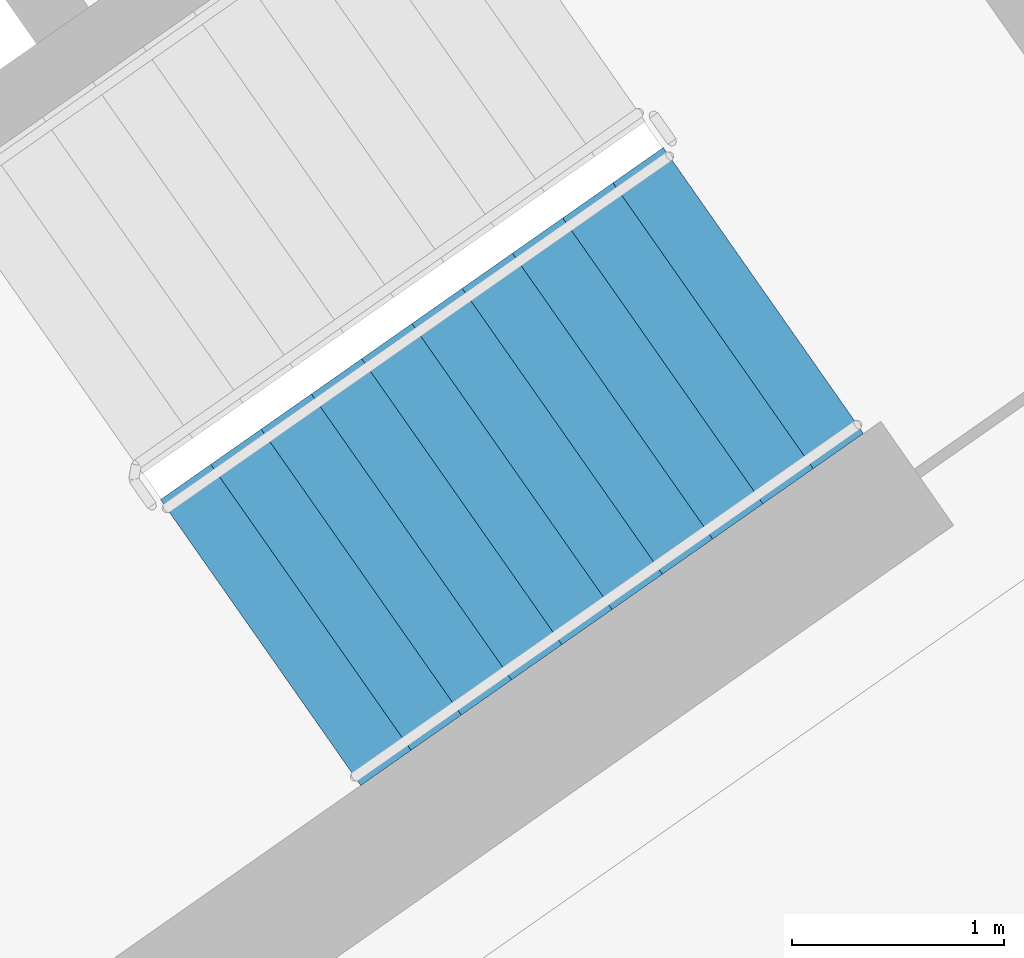
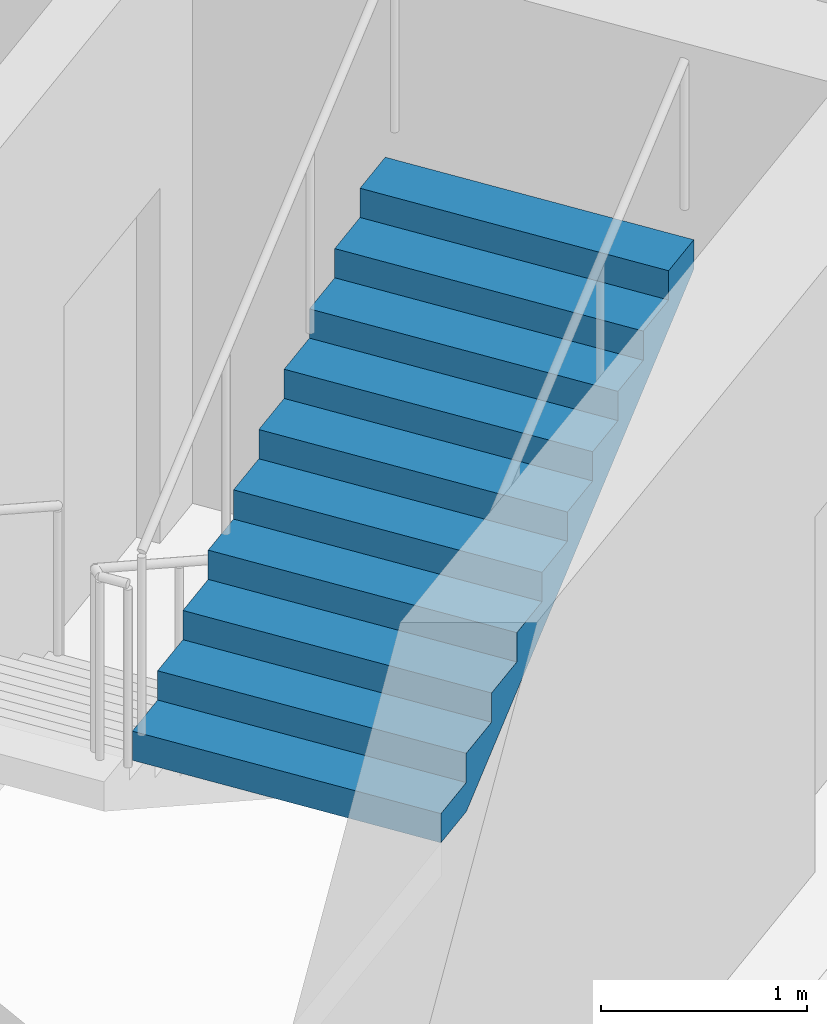
# One storey, part 12 of 29: 1 stair flight, 1 element without a shape of its own.
"""IFC4 building model written with IfcOpenShell, lengths in metres."""

from ifc_helpers import new_model, si_unit, direction, frame, origin, place, context, subcontext, project, spatial, faceted_brep, material, type_object, element, aggregate, save


model = new_model("IFC4")

# Units and contexts
model_context = context("Model", 3, precision=1e-05, world=origin(), true_north=direction((0.0, 1.0)))
body_context = subcontext(model_context, "Body", "Model", "MODEL_VIEW")
ifc_project = project(units=[si_unit("LENGTHUNIT", "METRE"), si_unit("AREAUNIT", "SQUARE_METRE"), si_unit("VOLUMEUNIT", "CUBIC_METRE"), si_unit("PLANEANGLEUNIT", "RADIAN"), si_unit("MASSUNIT", "GRAM", prefix="KILO")], contexts=[model_context])

# Site, building, storey
site_placement = place(None, origin())
site = spatial("IfcSite", under=ifc_project, at=site_placement, CompositionType="ELEMENT")
building_placement = place(site_placement, origin())
building = spatial("IfcBuilding", under=site, at=building_placement, Name="Qamariyya Broadcast Tower", CompositionType="ELEMENT")
storey_placement = place(building_placement, frame((0.0, 0.0, 258.10009765625)))
storey = spatial("IfcBuildingStorey", under=building, at=storey_placement, Name="L62", CompositionType="ELEMENT", Elevation=258.10009765625)

# Stair, stair flight
ifc_material = material(Name="Concrete C50/60", Category="concrete")
stair_type = type_object("IfcStairType", Name="Exit stair 22 risers of 173 mm", PredefinedType="HALF_TURN_STAIR", material=ifc_material)
stair_placement = place(storey_placement, origin())
stair = element("IfcStair", 1, at=stair_placement, inside=storey, type_object=stair_type, Name="L62 Stair E1", PredefinedType="HALF_TURN_STAIR")
stair_flight_type = type_object("IfcStairFlightType", Name="Exit stair flight 11 risers of 173 mm", PredefinedType="STRAIGHT", material=ifc_material)
stair_flight_placement = place(storey_placement, frame((44.693359375, -58.64599609375, 1.89990234375), z_axis=(0.0, 0.0, 1.0), x_axis=(0.819152044289, 0.573576436351, 0.0)))
stair_flight = element("IfcStairFlight", 2, at=stair_flight_placement, type_object=stair_flight_type, Name="ST-E1 flight 2", NumberOfRisers=11, NumberOfTreads=10, PredefinedType="STRAIGHT", RiserHeight=0.172727273, TreadLength=0.29, context=body_context, shape_type="Brep", body=[
    faceted_brep([(0.0, 0.824951171875, 0.0), (0.0, 0.824951171875, 0.172607421875), (0.2900390625, 0.824951171875, 0.172607421875), (0.2900390625, 0.824951171875, 0.345458984375), (0.580078125, 0.824951171875, 0.345458984375), (0.580078125, 0.824951171875, 0.51806640625), (0.8701171875, 0.824951171875, 0.51806640625), (0.8701171875, 0.824951171875, 0.69091796875), (1.159912109375, 0.824951171875, 0.69091796875), (1.159912109375, 0.824951171875, 0.863525390625), (1.449951171875, 0.824951171875, 0.863525390625), (1.449951171875, 0.824951171875, 1.036376953125), (1.739990234375, 0.824951171875, 1.036376953125), (1.739990234375, 0.824951171875, 1.208984375), (2.030029296875, 0.824951171875, 1.208984375), (2.030029296875, 0.824951171875, 1.3818359375), (2.320068359375, 0.824951171875, 1.3818359375), (2.320068359375, 0.824951171875, 1.554443359375), (2.610107421875, 0.824951171875, 1.554443359375), (2.610107421875, 0.824951171875, 1.727294921875), (2.89990234375, 0.824951171875, 1.727294921875), (2.89990234375, 0.824951171875, 1.552734375), (0.29296875, 0.824951171875, 0.0), (0.29296875, -0.824951171875, 0.0), (2.89990234375, -0.824951171875, 1.552734375), (2.89990234375, -0.824951171875, 1.727294921875), (2.610107421875, -0.824951171875, 1.727294921875), (2.610107421875, -0.824951171875, 1.554443359375), (2.320068359375, -0.824951171875, 1.554443359375), (2.320068359375, -0.824951171875, 1.3818359375), (2.030029296875, -0.824951171875, 1.3818359375), (2.030029296875, -0.824951171875, 1.208984375), (1.739990234375, -0.824951171875, 1.208984375), (1.739990234375, -0.824951171875, 1.036376953125), (1.449951171875, -0.824951171875, 1.036376953125), (1.449951171875, -0.824951171875, 0.863525390625), (1.159912109375, -0.824951171875, 0.863525390625), (1.159912109375, -0.824951171875, 0.69091796875), (0.8701171875, -0.824951171875, 0.69091796875), (0.8701171875, -0.824951171875, 0.51806640625), (0.580078125, -0.824951171875, 0.51806640625), (0.580078125, -0.824951171875, 0.345458984375), (0.2900390625, -0.824951171875, 0.345458984375), (0.2900390625, -0.824951171875, 0.172607421875), (0.0, -0.824951171875, 0.172607421875), (0.0, -0.824951171875, 0.0), (0.0, 0.10009765625, 0.0), (0.0, 0.086669921875, 0.0), (0.0, 0.0732421875, 0.0), (0.0, 0.06005859375, 0.0), (0.0, 0.046630859375, 0.0), (0.0, 0.033447265625, 0.0), (0.0, 0.02001953125, 0.0), (0.0, 0.006591796875, 0.0), (0.0, -0.006591796875, 0.0), (0.0, -0.02001953125, 0.0), (0.0, -0.033447265625, 0.0), (0.0, -0.046630859375, 0.0), (0.0, -0.06005859375, 0.0), (0.0, -0.0732421875, 0.0), (0.0, -0.086669921875, 0.0), (0.0, -0.10009765625, 0.0), (0.0, -0.10009765625, 0.172607421875), (0.0, -0.086669921875, 0.172607421875), (0.0, -0.0732421875, 0.172607421875), (0.0, -0.06005859375, 0.172607421875), (0.0, -0.046630859375, 0.172607421875), (0.0, -0.033447265625, 0.172607421875), (0.0, -0.02001953125, 0.172607421875), (0.0, -0.006591796875, 0.172607421875), (0.0, 0.006591796875, 0.172607421875), (0.0, 0.02001953125, 0.172607421875), (0.0, 0.033447265625, 0.172607421875), (0.0, 0.046630859375, 0.172607421875), (0.0, 0.06005859375, 0.172607421875), (0.0, 0.0732421875, 0.172607421875), (0.0, 0.086669921875, 0.172607421875), (0.0, 0.10009765625, 0.172607421875), (0.2900390625, -0.10009765625, 0.172607421875), (0.2900390625, -0.086669921875, 0.172607421875), (0.2900390625, -0.0732421875, 0.172607421875), (0.2900390625, -0.06005859375, 0.172607421875), (0.2900390625, -0.046630859375, 0.172607421875), (0.2900390625, -0.033447265625, 0.172607421875), (0.2900390625, -0.02001953125, 0.172607421875), (0.2900390625, -0.006591796875, 0.172607421875), (0.2900390625, 0.006591796875, 0.172607421875), (0.2900390625, 0.02001953125, 0.172607421875), (0.2900390625, 0.033447265625, 0.172607421875), (0.2900390625, 0.046630859375, 0.172607421875), (0.2900390625, 0.06005859375, 0.172607421875), (0.2900390625, 0.0732421875, 0.172607421875), (0.2900390625, 0.086669921875, 0.172607421875), (0.2900390625, 0.10009765625, 0.172607421875), (0.2900390625, -0.10009765625, 0.345458984375), (0.2900390625, -0.086669921875, 0.345458984375), (0.2900390625, -0.0732421875, 0.345458984375), (0.2900390625, -0.06005859375, 0.345458984375), (0.2900390625, -0.046630859375, 0.345458984375), (0.2900390625, -0.033447265625, 0.345458984375), (0.2900390625, -0.02001953125, 0.345458984375), (0.2900390625, -0.006591796875, 0.345458984375), (0.2900390625, 0.006591796875, 0.345458984375), (0.2900390625, 0.02001953125, 0.345458984375), (0.2900390625, 0.033447265625, 0.345458984375), (0.2900390625, 0.046630859375, 0.345458984375), (0.2900390625, 0.06005859375, 0.345458984375), (0.2900390625, 0.0732421875, 0.345458984375), (0.2900390625, 0.086669921875, 0.345458984375), (0.2900390625, 0.10009765625, 0.345458984375), (0.580078125, -0.10009765625, 0.345458984375), (0.580078125, -0.086669921875, 0.345458984375), (0.580078125, -0.0732421875, 0.345458984375), (0.580078125, -0.06005859375, 0.345458984375), (0.580078125, -0.046630859375, 0.345458984375), (0.580078125, -0.033447265625, 0.345458984375), (0.580078125, -0.02001953125, 0.345458984375), (0.580078125, -0.006591796875, 0.345458984375), (0.580078125, 0.006591796875, 0.345458984375), (0.580078125, 0.02001953125, 0.345458984375), (0.580078125, 0.033447265625, 0.345458984375), (0.580078125, 0.046630859375, 0.345458984375), (0.580078125, 0.06005859375, 0.345458984375), (0.580078125, 0.0732421875, 0.345458984375), (0.580078125, 0.086669921875, 0.345458984375), (0.580078125, 0.10009765625, 0.345458984375), (0.580078125, -0.10009765625, 0.51806640625), (0.580078125, -0.086669921875, 0.51806640625), (0.580078125, -0.0732421875, 0.51806640625), (0.580078125, -0.06005859375, 0.51806640625), (0.580078125, -0.046630859375, 0.51806640625), (0.580078125, -0.033447265625, 0.51806640625), (0.580078125, -0.02001953125, 0.51806640625), (0.580078125, -0.006591796875, 0.51806640625), (0.580078125, 0.006591796875, 0.51806640625), (0.580078125, 0.02001953125, 0.51806640625), (0.580078125, 0.033447265625, 0.51806640625), (0.580078125, 0.046630859375, 0.51806640625), (0.580078125, 0.06005859375, 0.51806640625), (0.580078125, 0.0732421875, 0.51806640625), (0.580078125, 0.086669921875, 0.51806640625), (0.580078125, 0.10009765625, 0.51806640625), (0.8701171875, -0.10009765625, 0.51806640625), (0.8701171875, -0.086669921875, 0.51806640625), (0.8701171875, -0.0732421875, 0.51806640625), (0.8701171875, -0.06005859375, 0.51806640625), (0.8701171875, -0.046630859375, 0.51806640625), (0.8701171875, -0.033447265625, 0.51806640625), (0.8701171875, -0.02001953125, 0.51806640625), (0.8701171875, -0.006591796875, 0.51806640625), (0.8701171875, 0.006591796875, 0.51806640625), (0.8701171875, 0.02001953125, 0.51806640625), (0.8701171875, 0.033447265625, 0.51806640625), (0.8701171875, 0.046630859375, 0.51806640625), (0.8701171875, 0.06005859375, 0.51806640625), (0.8701171875, 0.0732421875, 0.51806640625), (0.8701171875, 0.086669921875, 0.51806640625), (0.8701171875, 0.10009765625, 0.51806640625), (0.8701171875, -0.10009765625, 0.69091796875), (0.8701171875, -0.086669921875, 0.69091796875), (0.8701171875, -0.0732421875, 0.69091796875), (0.8701171875, -0.06005859375, 0.69091796875), (0.8701171875, -0.046630859375, 0.69091796875), (0.8701171875, -0.033447265625, 0.69091796875), (0.8701171875, -0.02001953125, 0.69091796875), (0.8701171875, -0.006591796875, 0.69091796875), (0.8701171875, 0.006591796875, 0.69091796875), (0.8701171875, 0.02001953125, 0.69091796875), (0.8701171875, 0.033447265625, 0.69091796875), (0.8701171875, 0.046630859375, 0.69091796875), (0.8701171875, 0.06005859375, 0.69091796875), (0.8701171875, 0.0732421875, 0.69091796875), (0.8701171875, 0.086669921875, 0.69091796875), (0.8701171875, 0.10009765625, 0.69091796875), (1.159912109375, -0.10009765625, 0.69091796875), (1.159912109375, -0.086669921875, 0.69091796875), (1.159912109375, -0.0732421875, 0.69091796875), (1.159912109375, -0.06005859375, 0.69091796875), (1.159912109375, -0.046630859375, 0.69091796875), (1.159912109375, -0.033447265625, 0.69091796875), (1.159912109375, -0.02001953125, 0.69091796875), (1.159912109375, -0.006591796875, 0.69091796875), (1.159912109375, 0.006591796875, 0.69091796875), (1.159912109375, 0.02001953125, 0.69091796875), (1.159912109375, 0.033447265625, 0.69091796875), (1.159912109375, 0.046630859375, 0.69091796875), (1.159912109375, 0.06005859375, 0.69091796875), (1.159912109375, 0.0732421875, 0.69091796875), (1.159912109375, 0.086669921875, 0.69091796875), (1.159912109375, 0.10009765625, 0.69091796875), (1.159912109375, -0.10009765625, 0.863525390625), (1.159912109375, -0.086669921875, 0.863525390625), (1.159912109375, -0.0732421875, 0.863525390625), (1.159912109375, -0.06005859375, 0.863525390625), (1.159912109375, -0.046630859375, 0.863525390625), (1.159912109375, -0.033447265625, 0.863525390625), (1.159912109375, -0.02001953125, 0.863525390625), (1.159912109375, -0.006591796875, 0.863525390625), (1.159912109375, 0.006591796875, 0.863525390625), (1.159912109375, 0.02001953125, 0.863525390625), (1.159912109375, 0.033447265625, 0.863525390625), (1.159912109375, 0.046630859375, 0.863525390625), (1.159912109375, 0.06005859375, 0.863525390625), (1.159912109375, 0.0732421875, 0.863525390625), (1.159912109375, 0.086669921875, 0.863525390625), (1.159912109375, 0.10009765625, 0.863525390625), (1.449951171875, -0.10009765625, 0.863525390625), (1.449951171875, -0.086669921875, 0.863525390625), (1.449951171875, -0.0732421875, 0.863525390625), (1.449951171875, -0.06005859375, 0.863525390625), (1.449951171875, -0.046630859375, 0.863525390625), (1.449951171875, -0.033447265625, 0.863525390625), (1.449951171875, -0.02001953125, 0.863525390625), (1.449951171875, -0.006591796875, 0.863525390625), (1.449951171875, 0.006591796875, 0.863525390625), (1.449951171875, 0.02001953125, 0.863525390625), (1.449951171875, 0.033447265625, 0.863525390625), (1.449951171875, 0.046630859375, 0.863525390625), (1.449951171875, 0.06005859375, 0.863525390625), (1.449951171875, 0.0732421875, 0.863525390625), (1.449951171875, 0.086669921875, 0.863525390625), (1.449951171875, 0.10009765625, 0.863525390625), (1.449951171875, -0.10009765625, 1.036376953125), (1.449951171875, -0.086669921875, 1.036376953125), (1.449951171875, -0.0732421875, 1.036376953125), (1.449951171875, -0.06005859375, 1.036376953125), (1.449951171875, -0.046630859375, 1.036376953125), (1.449951171875, -0.033447265625, 1.036376953125), (1.449951171875, -0.02001953125, 1.036376953125), (1.449951171875, -0.006591796875, 1.036376953125), (1.449951171875, 0.006591796875, 1.036376953125), (1.449951171875, 0.02001953125, 1.036376953125), (1.449951171875, 0.033447265625, 1.036376953125), (1.449951171875, 0.046630859375, 1.036376953125), (1.449951171875, 0.06005859375, 1.036376953125), (1.449951171875, 0.0732421875, 1.036376953125), (1.449951171875, 0.086669921875, 1.036376953125), (1.449951171875, 0.10009765625, 1.036376953125), (1.739990234375, -0.10009765625, 1.036376953125), (1.739990234375, -0.086669921875, 1.036376953125), (1.739990234375, -0.0732421875, 1.036376953125), (1.739990234375, -0.06005859375, 1.036376953125), (1.739990234375, -0.046630859375, 1.036376953125), (1.739990234375, -0.033447265625, 1.036376953125), (1.739990234375, -0.02001953125, 1.036376953125), (1.739990234375, -0.006591796875, 1.036376953125), (1.739990234375, 0.006591796875, 1.036376953125), (1.739990234375, 0.02001953125, 1.036376953125), (1.739990234375, 0.033447265625, 1.036376953125), (1.739990234375, 0.046630859375, 1.036376953125), (1.739990234375, 0.06005859375, 1.036376953125), (1.739990234375, 0.0732421875, 1.036376953125), (1.739990234375, 0.086669921875, 1.036376953125), (1.739990234375, 0.10009765625, 1.036376953125), (1.739990234375, -0.10009765625, 1.208984375), (1.739990234375, -0.086669921875, 1.208984375), (1.739990234375, -0.0732421875, 1.208984375), (1.739990234375, -0.06005859375, 1.208984375), (1.739990234375, -0.046630859375, 1.208984375), (1.739990234375, -0.033447265625, 1.208984375), (1.739990234375, -0.02001953125, 1.208984375), (1.739990234375, -0.006591796875, 1.208984375), (1.739990234375, 0.006591796875, 1.208984375), (1.739990234375, 0.02001953125, 1.208984375), (1.739990234375, 0.033447265625, 1.208984375), (1.739990234375, 0.046630859375, 1.208984375), (1.739990234375, 0.06005859375, 1.208984375), (1.739990234375, 0.0732421875, 1.208984375), (1.739990234375, 0.086669921875, 1.208984375), (1.739990234375, 0.10009765625, 1.208984375), (2.030029296875, -0.10009765625, 1.208984375), (2.030029296875, -0.086669921875, 1.208984375), (2.030029296875, -0.0732421875, 1.208984375), (2.030029296875, -0.06005859375, 1.208984375), (2.030029296875, -0.046630859375, 1.208984375), (2.030029296875, -0.033447265625, 1.208984375), (2.030029296875, -0.02001953125, 1.208984375), (2.030029296875, -0.006591796875, 1.208984375), (2.030029296875, 0.006591796875, 1.208984375), (2.030029296875, 0.02001953125, 1.208984375), (2.030029296875, 0.033447265625, 1.208984375), (2.030029296875, 0.046630859375, 1.208984375), (2.030029296875, 0.06005859375, 1.208984375), (2.030029296875, 0.0732421875, 1.208984375), (2.030029296875, 0.086669921875, 1.208984375), (2.030029296875, 0.10009765625, 1.208984375), (2.030029296875, -0.10009765625, 1.3818359375), (2.030029296875, -0.086669921875, 1.3818359375), (2.030029296875, -0.0732421875, 1.3818359375), (2.030029296875, -0.06005859375, 1.3818359375), (2.030029296875, -0.046630859375, 1.3818359375), (2.030029296875, -0.033447265625, 1.3818359375), (2.030029296875, -0.02001953125, 1.3818359375), (2.030029296875, -0.006591796875, 1.3818359375), (2.030029296875, 0.006591796875, 1.3818359375), (2.030029296875, 0.02001953125, 1.3818359375), (2.030029296875, 0.033447265625, 1.3818359375), (2.030029296875, 0.046630859375, 1.3818359375), (2.030029296875, 0.06005859375, 1.3818359375), (2.030029296875, 0.0732421875, 1.3818359375), (2.030029296875, 0.086669921875, 1.3818359375), (2.030029296875, 0.10009765625, 1.3818359375), (2.320068359375, -0.10009765625, 1.3818359375), (2.320068359375, -0.086669921875, 1.3818359375), (2.320068359375, -0.0732421875, 1.3818359375), (2.320068359375, -0.06005859375, 1.3818359375), (2.320068359375, -0.046630859375, 1.3818359375), (2.320068359375, -0.033447265625, 1.3818359375), (2.320068359375, -0.02001953125, 1.3818359375), (2.320068359375, -0.006591796875, 1.3818359375), (2.320068359375, 0.006591796875, 1.3818359375), (2.320068359375, 0.02001953125, 1.3818359375), (2.320068359375, 0.033447265625, 1.3818359375), (2.320068359375, 0.046630859375, 1.3818359375), (2.320068359375, 0.06005859375, 1.3818359375), (2.320068359375, 0.0732421875, 1.3818359375), (2.320068359375, 0.086669921875, 1.3818359375), (2.320068359375, 0.10009765625, 1.3818359375), (2.320068359375, -0.10009765625, 1.554443359375), (2.320068359375, -0.086669921875, 1.554443359375), (2.320068359375, -0.0732421875, 1.554443359375), (2.320068359375, -0.06005859375, 1.554443359375), (2.320068359375, -0.046630859375, 1.554443359375), (2.320068359375, -0.033447265625, 1.554443359375), (2.320068359375, -0.02001953125, 1.554443359375), (2.320068359375, -0.006591796875, 1.554443359375), (2.320068359375, 0.006591796875, 1.554443359375), (2.320068359375, 0.02001953125, 1.554443359375), (2.320068359375, 0.033447265625, 1.554443359375), (2.320068359375, 0.046630859375, 1.554443359375), (2.320068359375, 0.06005859375, 1.554443359375), (2.320068359375, 0.0732421875, 1.554443359375), (2.320068359375, 0.086669921875, 1.554443359375), (2.320068359375, 0.10009765625, 1.554443359375), (2.610107421875, -0.10009765625, 1.554443359375), (2.610107421875, -0.086669921875, 1.554443359375), (2.610107421875, -0.0732421875, 1.554443359375), (2.610107421875, -0.06005859375, 1.554443359375), (2.610107421875, -0.046630859375, 1.554443359375), (2.610107421875, -0.033447265625, 1.554443359375), (2.610107421875, -0.02001953125, 1.554443359375), (2.610107421875, -0.006591796875, 1.554443359375), (2.610107421875, 0.006591796875, 1.554443359375), (2.610107421875, 0.02001953125, 1.554443359375), (2.610107421875, 0.033447265625, 1.554443359375), (2.610107421875, 0.046630859375, 1.554443359375), (2.610107421875, 0.06005859375, 1.554443359375), (2.610107421875, 0.0732421875, 1.554443359375), (2.610107421875, 0.086669921875, 1.554443359375), (2.610107421875, 0.10009765625, 1.554443359375), (2.610107421875, -0.10009765625, 1.727294921875), (2.610107421875, -0.086669921875, 1.727294921875), (2.610107421875, -0.0732421875, 1.727294921875), (2.610107421875, -0.06005859375, 1.727294921875), (2.610107421875, -0.046630859375, 1.727294921875), (2.610107421875, -0.033447265625, 1.727294921875), (2.610107421875, -0.02001953125, 1.727294921875), (2.610107421875, -0.006591796875, 1.727294921875), (2.610107421875, 0.006591796875, 1.727294921875), (2.610107421875, 0.02001953125, 1.727294921875), (2.610107421875, 0.033447265625, 1.727294921875), (2.610107421875, 0.046630859375, 1.727294921875), (2.610107421875, 0.06005859375, 1.727294921875), (2.610107421875, 0.0732421875, 1.727294921875), (2.610107421875, 0.086669921875, 1.727294921875), (2.610107421875, 0.10009765625, 1.727294921875), (2.89990234375, -0.10009765625, 1.727294921875), (2.89990234375, -0.086669921875, 1.727294921875), (2.89990234375, -0.0732421875, 1.727294921875), (2.89990234375, -0.06005859375, 1.727294921875), (2.89990234375, -0.046630859375, 1.727294921875), (2.89990234375, -0.033447265625, 1.727294921875), (2.89990234375, -0.02001953125, 1.727294921875), (2.89990234375, -0.006591796875, 1.727294921875), (2.89990234375, 0.006591796875, 1.727294921875), (2.89990234375, 0.02001953125, 1.727294921875), (2.89990234375, 0.033447265625, 1.727294921875), (2.89990234375, 0.046630859375, 1.727294921875), (2.89990234375, 0.06005859375, 1.727294921875), (2.89990234375, 0.0732421875, 1.727294921875), (2.89990234375, 0.086669921875, 1.727294921875), (2.89990234375, 0.10009765625, 1.727294921875), (2.89990234375, -0.10009765625, 1.552734375), (2.89990234375, -0.086669921875, 1.552734375), (2.89990234375, -0.0732421875, 1.552734375), (2.89990234375, -0.06005859375, 1.552734375), (2.89990234375, -0.046630859375, 1.552734375), (2.89990234375, -0.033447265625, 1.552734375), (2.89990234375, -0.02001953125, 1.552734375), (2.89990234375, -0.006591796875, 1.552734375), (2.89990234375, 0.006591796875, 1.552734375), (2.89990234375, 0.02001953125, 1.552734375), (2.89990234375, 0.033447265625, 1.552734375), (2.89990234375, 0.046630859375, 1.552734375), (2.89990234375, 0.06005859375, 1.552734375), (2.89990234375, 0.0732421875, 1.552734375), (2.89990234375, 0.086669921875, 1.552734375), (2.89990234375, 0.10009765625, 1.552734375), (0.29296875, -0.10009765625, 0.0), (0.29296875, -0.086669921875, 0.0), (0.29296875, -0.0732421875, 0.0), (0.29296875, -0.06005859375, 0.0), (0.29296875, -0.046630859375, 0.0), (0.29296875, -0.033447265625, 0.0), (0.29296875, -0.02001953125, 0.0), (0.29296875, -0.006591796875, 0.0), (0.29296875, 0.006591796875, 0.0), (0.29296875, 0.02001953125, 0.0), (0.29296875, 0.033447265625, 0.0), (0.29296875, 0.046630859375, 0.0), (0.29296875, 0.06005859375, 0.0), (0.29296875, 0.0732421875, 0.0), (0.29296875, 0.086669921875, 0.0), (0.29296875, 0.10009765625, 0.0)], [[[0, 1, 2, 3, 4, 5, 6, 7, 8, 9, 10, 11, 12, 13, 14, 15, 16, 17, 18, 19, 20, 21, 22]], [[23, 24, 25, 26, 27, 28, 29, 30, 31, 32, 33, 34, 35, 36, 37, 38, 39, 40, 41, 42, 43, 44, 45]], [[0, 46, 47, 48, 49, 50, 51, 52, 53, 54, 55, 56, 57, 58, 59, 60, 61, 45, 44, 62, 63, 64, 65, 66, 67, 68, 69, 70, 71, 72, 73, 74, 75, 76, 77, 1]], [[1, 77, 76, 75, 74, 73, 72, 71, 70, 69, 68, 67, 66, 65, 64, 63, 62, 44, 43, 78, 79, 80, 81, 82, 83, 84, 85, 86, 87, 88, 89, 90, 91, 92, 93, 2]], [[2, 93, 92, 91, 90, 89, 88, 87, 86, 85, 84, 83, 82, 81, 80, 79, 78, 43, 42, 94, 95, 96, 97, 98, 99, 100, 101, 102, 103, 104, 105, 106, 107, 108, 109, 3]], [[3, 109, 108, 107, 106, 105, 104, 103, 102, 101, 100, 99, 98, 97, 96, 95, 94, 42, 41, 110, 111, 112, 113, 114, 115, 116, 117, 118, 119, 120, 121, 122, 123, 124, 125, 4]], [[4, 125, 124, 123, 122, 121, 120, 119, 118, 117, 116, 115, 114, 113, 112, 111, 110, 41, 40, 126, 127, 128, 129, 130, 131, 132, 133, 134, 135, 136, 137, 138, 139, 140, 141, 5]], [[5, 141, 140, 139, 138, 137, 136, 135, 134, 133, 132, 131, 130, 129, 128, 127, 126, 40, 39, 142, 143, 144, 145, 146, 147, 148, 149, 150, 151, 152, 153, 154, 155, 156, 157, 6]], [[6, 157, 156, 155, 154, 153, 152, 151, 150, 149, 148, 147, 146, 145, 144, 143, 142, 39, 38, 158, 159, 160, 161, 162, 163, 164, 165, 166, 167, 168, 169, 170, 171, 172, 173, 7]], [[7, 173, 172, 171, 170, 169, 168, 167, 166, 165, 164, 163, 162, 161, 160, 159, 158, 38, 37, 174, 175, 176, 177, 178, 179, 180, 181, 182, 183, 184, 185, 186, 187, 188, 189, 8]], [[8, 189, 188, 187, 186, 185, 184, 183, 182, 181, 180, 179, 178, 177, 176, 175, 174, 37, 36, 190, 191, 192, 193, 194, 195, 196, 197, 198, 199, 200, 201, 202, 203, 204, 205, 9]], [[9, 205, 204, 203, 202, 201, 200, 199, 198, 197, 196, 195, 194, 193, 192, 191, 190, 36, 35, 206, 207, 208, 209, 210, 211, 212, 213, 214, 215, 216, 217, 218, 219, 220, 221, 10]], [[10, 221, 220, 219, 218, 217, 216, 215, 214, 213, 212, 211, 210, 209, 208, 207, 206, 35, 34, 222, 223, 224, 225, 226, 227, 228, 229, 230, 231, 232, 233, 234, 235, 236, 237, 11]], [[11, 237, 236, 235, 234, 233, 232, 231, 230, 229, 228, 227, 226, 225, 224, 223, 222, 34, 33, 238, 239, 240, 241, 242, 243, 244, 245, 246, 247, 248, 249, 250, 251, 252, 253, 12]], [[12, 253, 252, 251, 250, 249, 248, 247, 246, 245, 244, 243, 242, 241, 240, 239, 238, 33, 32, 254, 255, 256, 257, 258, 259, 260, 261, 262, 263, 264, 265, 266, 267, 268, 269, 13]], [[13, 269, 268, 267, 266, 265, 264, 263, 262, 261, 260, 259, 258, 257, 256, 255, 254, 32, 31, 270, 271, 272, 273, 274, 275, 276, 277, 278, 279, 280, 281, 282, 283, 284, 285, 14]], [[14, 285, 284, 283, 282, 281, 280, 279, 278, 277, 276, 275, 274, 273, 272, 271, 270, 31, 30, 286, 287, 288, 289, 290, 291, 292, 293, 294, 295, 296, 297, 298, 299, 300, 301, 15]], [[15, 301, 300, 299, 298, 297, 296, 295, 294, 293, 292, 291, 290, 289, 288, 287, 286, 30, 29, 302, 303, 304, 305, 306, 307, 308, 309, 310, 311, 312, 313, 314, 315, 316, 317, 16]], [[16, 317, 316, 315, 314, 313, 312, 311, 310, 309, 308, 307, 306, 305, 304, 303, 302, 29, 28, 318, 319, 320, 321, 322, 323, 324, 325, 326, 327, 328, 329, 330, 331, 332, 333, 17]], [[17, 333, 332, 331, 330, 329, 328, 327, 326, 325, 324, 323, 322, 321, 320, 319, 318, 28, 27, 334, 335, 336, 337, 338, 339, 340, 341, 342, 343, 344, 345, 346, 347, 348, 349, 18]], [[18, 349, 348, 347, 346, 345, 344, 343, 342, 341, 340, 339, 338, 337, 336, 335, 334, 27, 26, 350, 351, 352, 353, 354, 355, 356, 357, 358, 359, 360, 361, 362, 363, 364, 365, 19]], [[19, 365, 364, 363, 362, 361, 360, 359, 358, 357, 356, 355, 354, 353, 352, 351, 350, 26, 25, 366, 367, 368, 369, 370, 371, 372, 373, 374, 375, 376, 377, 378, 379, 380, 381, 20]], [[20, 381, 380, 379, 378, 377, 376, 375, 374, 373, 372, 371, 370, 369, 368, 367, 366, 25, 24, 382, 383, 384, 385, 386, 387, 388, 389, 390, 391, 392, 393, 394, 395, 396, 397, 21]], [[21, 397, 396, 395, 394, 393, 392, 391, 390, 389, 388, 387, 386, 385, 384, 383, 382, 24, 23, 398, 399, 400, 401, 402, 403, 404, 405, 406, 407, 408, 409, 410, 411, 412, 413, 22]], [[22, 413, 412, 411, 410, 409, 408, 407, 406, 405, 404, 403, 402, 401, 400, 399, 398, 23, 45, 61, 60, 59, 58, 57, 56, 55, 54, 53, 52, 51, 50, 49, 48, 47, 46, 0]]]),
])
aggregate(stair, [stair_flight])

save(model, "model.ifc")
